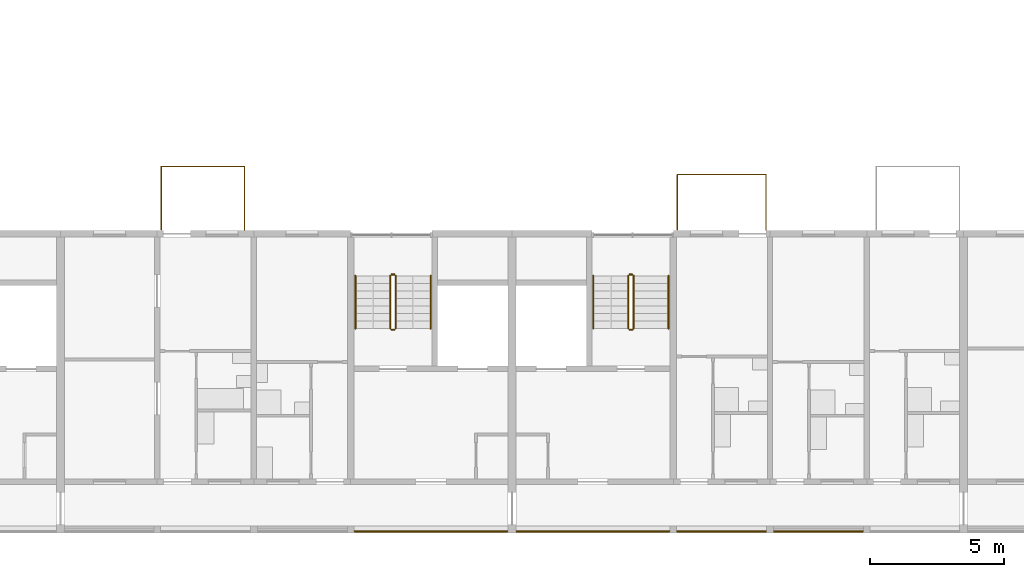
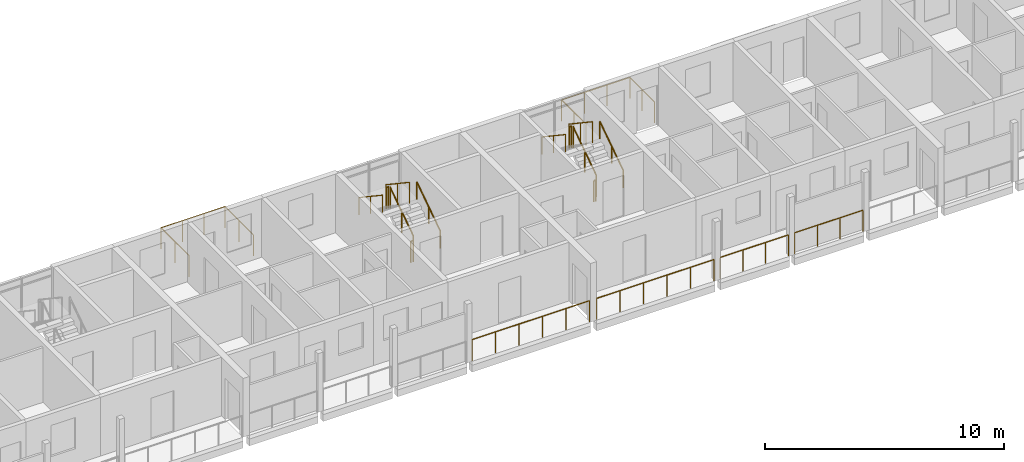
# One storey, part 70 of 87: 18 railings.
"""IFC4 building model written with IfcOpenShell, lengths in metres."""

from ifc_helpers import new_model, si_unit, direction, frame, origin, origin_2d, place, context, subcontext, project, spatial, circle, extrude, material, type_object, element, save


model = new_model("IFC4")

# Units and contexts
model_context = context("Model", 3, precision=1e-05, world=origin(), true_north=direction((0.0, 1.0)))
body_context = subcontext(model_context, "Body", "Model", "MODEL_VIEW")
ifc_project = project(units=[si_unit("LENGTHUNIT", "METRE"), si_unit("AREAUNIT", "SQUARE_METRE"), si_unit("VOLUMEUNIT", "CUBIC_METRE"), si_unit("PLANEANGLEUNIT", "RADIAN"), si_unit("MASSUNIT", "GRAM", prefix="KILO")], contexts=[model_context])

# Site, building, storey
site_placement = place(None, origin())
site = spatial("IfcSite", under=ifc_project, at=site_placement, CompositionType="ELEMENT")
building_placement = place(site_placement, origin())
building = spatial("IfcBuilding", under=site, at=building_placement, Name="Ridgestep Commons", CompositionType="ELEMENT")
storey_placement = place(building_placement, frame((0.0, 0.0, 27.0)))
storey = spatial("IfcBuildingStorey", under=building, at=storey_placement, Name="L09", CompositionType="ELEMENT", Elevation=27.0)

# Railings
ifc_material_1 = material(Name="Structural steel S355JR", Category="steel")
railing_type_1 = type_object("IfcRailingType", Name="Guard 1100", PredefinedType="GUARDRAIL", material=ifc_material_1)
railing_1_placement = place(storey_placement, frame((39.74609375, 11.800048828125, 0.0)))
element("IfcRailing", 1, at=railing_1_placement, inside=storey, type_object=railing_type_1, Name="Gallery guard A 09.8", PredefinedType="GUARDRAIL", context=body_context, shape_type="SweptSolid", body=[
    extrude(circle(Radius=0.02392578125, at=origin_2d()), frame((0.0, 0.0, 1.076171875), z_axis=(1.0, 0.0, 0.0), x_axis=(0.0, 1.0, 0.0)), (0.0, 0.0, 1.0), 5.682861328125),
    extrude(circle(Radius=0.02099609375, at=origin_2d()), origin(), (0.0, 0.0, 1.0), 1.052001953125),
    extrude(circle(Radius=0.02099609375, at=origin_2d()), frame((1.136474609375, 0.0, 0.0)), (0.0, 0.0, 1.0), 1.052001953125),
    extrude(circle(Radius=0.02099609375, at=origin_2d()), frame((2.273193359375, 0.0, 0.0)), (0.0, 0.0, 1.0), 1.052001953125),
    extrude(circle(Radius=0.02099609375, at=origin_2d()), frame((3.40966796875, 0.0, 0.0)), (0.0, 0.0, 1.0), 1.052001953125),
    extrude(circle(Radius=0.02099609375, at=origin_2d()), frame((4.54638671875, 0.0, 0.0)), (0.0, 0.0, 1.0), 1.052001953125),
    extrude(circle(Radius=0.02099609375, at=origin_2d()), frame((5.682861328125, 0.0, 0.0)), (0.0, 0.0, 1.0), 1.052001953125),
])
railing_2_placement = place(storey_placement, frame((45.77099609375, 11.800048828125, 0.0)))
element("IfcRailing", 2, at=railing_2_placement, inside=storey, type_object=railing_type_1, Name="Gallery guard A 09.9", PredefinedType="GUARDRAIL", context=body_context, shape_type="SweptSolid", body=[
    extrude(circle(Radius=0.02392578125, at=origin_2d()), frame((0.0, 0.0, 1.076171875), z_axis=(1.0, 0.0, 0.0), x_axis=(0.0, 1.0, 0.0)), (0.0, 0.0, 1.0), 5.68310546875),
    extrude(circle(Radius=0.02099609375, at=origin_2d()), origin(), (0.0, 0.0, 1.0), 1.052001953125),
    extrude(circle(Radius=0.02099609375, at=origin_2d()), frame((1.13671875, 0.0, 0.0)), (0.0, 0.0, 1.0), 1.052001953125),
    extrude(circle(Radius=0.02099609375, at=origin_2d()), frame((2.273193359375, 0.0, 0.0)), (0.0, 0.0, 1.0), 1.052001953125),
    extrude(circle(Radius=0.02099609375, at=origin_2d()), frame((3.409912109375, 0.0, 0.0)), (0.0, 0.0, 1.0), 1.052001953125),
    extrude(circle(Radius=0.02099609375, at=origin_2d()), frame((4.54638671875, 0.0, 0.0)), (0.0, 0.0, 1.0), 1.052001953125),
    extrude(circle(Radius=0.02099609375, at=origin_2d()), frame((5.68310546875, 0.0, 0.0)), (0.0, 0.0, 1.0), 1.052001953125),
])
railing_3_placement = place(storey_placement, frame((51.74609375, 11.800048828125, 0.0)))
element("IfcRailing", 3, at=railing_3_placement, inside=storey, type_object=railing_type_1, Name="Gallery guard A 09.10", PredefinedType="GUARDRAIL", context=body_context, shape_type="SweptSolid", body=[
    extrude(circle(Radius=0.02392578125, at=origin_2d()), frame((0.0, 0.0, 1.076171875), z_axis=(1.0, 0.0, 0.0), x_axis=(0.0, 1.0, 0.0)), (0.0, 0.0, 1.0), 3.307861328125),
    extrude(circle(Radius=0.02099609375, at=origin_2d()), origin(), (0.0, 0.0, 1.0), 1.052001953125),
    extrude(circle(Radius=0.02099609375, at=origin_2d()), frame((1.1025390625, 0.0, 0.0)), (0.0, 0.0, 1.0), 1.052001953125),
    extrude(circle(Radius=0.02099609375, at=origin_2d()), frame((2.205322265625, 0.0, 0.0)), (0.0, 0.0, 1.0), 1.052001953125),
    extrude(circle(Radius=0.02099609375, at=origin_2d()), frame((3.307861328125, 0.0, 0.0)), (0.0, 0.0, 1.0), 1.052001953125),
])
railing_4_placement = place(storey_placement, frame((55.345947265625, 11.800048828125, 0.0)))
element("IfcRailing", 4, at=railing_4_placement, inside=storey, type_object=railing_type_1, Name="Gallery guard A 09.11", PredefinedType="GUARDRAIL", context=body_context, shape_type="SweptSolid", body=[
    extrude(circle(Radius=0.02392578125, at=origin_2d()), frame((0.0, 0.0, 1.076171875), z_axis=(1.0, 0.0, 0.0), x_axis=(0.0, 1.0, 0.0)), (0.0, 0.0, 1.0), 3.30810546875),
    extrude(circle(Radius=0.02099609375, at=origin_2d()), origin(), (0.0, 0.0, 1.0), 1.052001953125),
    extrude(circle(Radius=0.02099609375, at=origin_2d()), frame((1.102783203125, 0.0, 0.0)), (0.0, 0.0, 1.0), 1.052001953125),
    extrude(circle(Radius=0.02099609375, at=origin_2d()), frame((2.205322265625, 0.0, 0.0)), (0.0, 0.0, 1.0), 1.052001953125),
    extrude(circle(Radius=0.02099609375, at=origin_2d()), frame((3.30810546875, 0.0, 0.0)), (0.0, 0.0, 1.0), 1.052001953125),
])
ifc_material_2 = material(Name="Structural steel S355JR", Category="steel")
railing_type_2 = type_object("IfcRailingType", Name="Stair guard 1100", PredefinedType="GUARDRAIL", material=ifc_material_2)
railing_5_placement = place(storey_placement, frame((41.27490234375, 19.35009765625, 0.1875)))
element("IfcRailing", 5, at=railing_5_placement, inside=storey, type_object=railing_type_2, Name="L09 A2C stair guard 1", PredefinedType="GUARDRAIL", context=body_context, shape_type="SweptSolid", body=[
    extrude(circle(Radius=0.02392578125, at=origin_2d()), frame((0.0, 0.0, 1.076171875), z_axis=(0.0, 0.830902050051, 0.556418712142), x_axis=(-1.0, 0.0, 0.0)), (0.0, 0.0, 1.0), 2.35888671875),
    extrude(circle(Radius=0.02099609375, at=origin_2d()), origin(), (0.0, 0.0, 1.0), 1.052001953125),
    extrude(circle(Radius=0.02099609375, at=origin_2d()), frame((0.0, 0.97998046875, 0.65625)), (0.0, 0.0, 1.0), 1.052001953125),
    extrude(circle(Radius=0.02099609375, at=origin_2d()), frame((0.0, 1.9599609375, 1.3125)), (0.0, 0.0, 1.0), 1.052001953125),
])
railing_6_placement = place(storey_placement, frame((41.22509765625, 21.360107421875, 1.5)))
element("IfcRailing", 6, at=railing_6_placement, inside=storey, type_object=railing_type_2, Name="L09 A2C stair guard 2", PredefinedType="GUARDRAIL", context=body_context, shape_type="SweptSolid", body=[
    extrude(circle(Radius=0.02392578125, at=origin_2d()), frame((0.0, 0.0, 1.076171875), z_axis=(-1.0, 0.0, 0.0), x_axis=(0.0, -1.0, 0.0)), (0.0, 0.0, 1.0), 0.10009765625),
    extrude(circle(Radius=0.02099609375, at=origin_2d()), origin(), (0.0, 0.0, 1.0), 1.052001953125),
    extrude(circle(Radius=0.02099609375, at=origin_2d()), frame((-0.10009765625, 0.0, 0.0)), (0.0, 0.0, 1.0), 1.052001953125),
])
railing_7_placement = place(storey_placement, frame((41.074951171875, 21.31005859375, 1.6875)))
element("IfcRailing", 7, at=railing_7_placement, inside=storey, type_object=railing_type_2, Name="L09 A2C stair guard 3", PredefinedType="GUARDRAIL", context=body_context, shape_type="SweptSolid", body=[
    extrude(circle(Radius=0.02392578125, at=origin_2d()), frame((0.0, 0.0, 1.076171875), z_axis=(0.0, -0.830902050051, 0.556418712142), x_axis=(1.0, 0.0, 0.0)), (0.0, 0.0, 1.0), 2.35888671875),
    extrude(circle(Radius=0.02099609375, at=origin_2d()), origin(), (0.0, 0.0, 1.0), 1.052001953125),
    extrude(circle(Radius=0.02099609375, at=origin_2d()), frame((0.0, -0.97998046875, 0.65625)), (0.0, 0.0, 1.0), 1.052001953125),
    extrude(circle(Radius=0.02099609375, at=origin_2d()), frame((0.0, -1.9599609375, 1.3125)), (0.0, 0.0, 1.0), 1.052001953125),
])
railing_8_placement = place(storey_placement, frame((41.22509765625, 19.300048828125, 0.0)))
element("IfcRailing", 8, at=railing_8_placement, inside=storey, type_object=railing_type_2, Name="L09 A2C stair guard 4", PredefinedType="GUARDRAIL", context=body_context, shape_type="SweptSolid", body=[
    extrude(circle(Radius=0.02392578125, at=origin_2d()), frame((0.0, 0.0, 1.076171875), z_axis=(-1.0, 0.0, 0.0), x_axis=(0.0, -1.0, 0.0)), (0.0, 0.0, 1.0), 0.10009765625),
    extrude(circle(Radius=0.02099609375, at=origin_2d()), origin(), (0.0, 0.0, 1.0), 1.052001953125),
    extrude(circle(Radius=0.02099609375, at=origin_2d()), frame((-0.10009765625, 0.0, 0.0)), (0.0, 0.0, 1.0), 1.052001953125),
])
railing_9_placement = place(storey_placement, frame((50.125, 19.35009765625, 0.1875)))
element("IfcRailing", 9, at=railing_9_placement, inside=storey, type_object=railing_type_2, Name="L09 A3C stair guard 1", PredefinedType="GUARDRAIL", context=body_context, shape_type="SweptSolid", body=[
    extrude(circle(Radius=0.02392578125, at=origin_2d()), frame((0.0, 0.0, 1.076171875), z_axis=(0.0, 0.830902050051, 0.556418712142), x_axis=(-1.0, 0.0, 0.0)), (0.0, 0.0, 1.0), 2.35888671875),
    extrude(circle(Radius=0.02099609375, at=origin_2d()), origin(), (0.0, 0.0, 1.0), 1.052001953125),
    extrude(circle(Radius=0.02099609375, at=origin_2d()), frame((0.0, 0.97998046875, 0.65625)), (0.0, 0.0, 1.0), 1.052001953125),
    extrude(circle(Radius=0.02099609375, at=origin_2d()), frame((0.0, 1.9599609375, 1.3125)), (0.0, 0.0, 1.0), 1.052001953125),
])
railing_10_placement = place(storey_placement, frame((50.074951171875, 21.360107421875, 1.5)))
element("IfcRailing", 10, at=railing_10_placement, inside=storey, type_object=railing_type_2, Name="L09 A3C stair guard 2", PredefinedType="GUARDRAIL", context=body_context, shape_type="SweptSolid", body=[
    extrude(circle(Radius=0.02392578125, at=origin_2d()), frame((0.0, 0.0, 1.076171875), z_axis=(-1.0, 0.0, 0.0), x_axis=(0.0, -1.0, 0.0)), (0.0, 0.0, 1.0), 0.099853515625),
    extrude(circle(Radius=0.02099609375, at=origin_2d()), origin(), (0.0, 0.0, 1.0), 1.052001953125),
    extrude(circle(Radius=0.02099609375, at=origin_2d()), frame((-0.099853515625, 0.0, 0.0)), (0.0, 0.0, 1.0), 1.052001953125),
])
railing_11_placement = place(storey_placement, frame((49.925048828125, 21.31005859375, 1.6875)))
element("IfcRailing", 11, at=railing_11_placement, inside=storey, type_object=railing_type_2, Name="L09 A3C stair guard 3", PredefinedType="GUARDRAIL", context=body_context, shape_type="SweptSolid", body=[
    extrude(circle(Radius=0.02392578125, at=origin_2d()), frame((0.0, 0.0, 1.076171875), z_axis=(0.0, -0.830902050051, 0.556418712142), x_axis=(1.0, 0.0, 0.0)), (0.0, 0.0, 1.0), 2.35888671875),
    extrude(circle(Radius=0.02099609375, at=origin_2d()), origin(), (0.0, 0.0, 1.0), 1.052001953125),
    extrude(circle(Radius=0.02099609375, at=origin_2d()), frame((0.0, -0.97998046875, 0.65625)), (0.0, 0.0, 1.0), 1.052001953125),
    extrude(circle(Radius=0.02099609375, at=origin_2d()), frame((0.0, -1.9599609375, 1.3125)), (0.0, 0.0, 1.0), 1.052001953125),
])
railing_12_placement = place(storey_placement, frame((50.074951171875, 19.300048828125, 0.0)))
element("IfcRailing", 12, at=railing_12_placement, inside=storey, type_object=railing_type_2, Name="L09 A3C stair guard 4", PredefinedType="GUARDRAIL", context=body_context, shape_type="SweptSolid", body=[
    extrude(circle(Radius=0.02392578125, at=origin_2d()), frame((0.0, 0.0, 1.076171875), z_axis=(-1.0, 0.0, 0.0), x_axis=(0.0, -1.0, 0.0)), (0.0, 0.0, 1.0), 0.099853515625),
    extrude(circle(Radius=0.02099609375, at=origin_2d()), origin(), (0.0, 0.0, 1.0), 1.052001953125),
    extrude(circle(Radius=0.02099609375, at=origin_2d()), frame((-0.099853515625, 0.0, 0.0)), (0.0, 0.0, 1.0), 1.052001953125),
])
ifc_material_3 = material(Name="Structural steel S355JR", Category="steel")
railing_type_3 = type_object("IfcRailingType", Name="Stair handrail 900", PredefinedType="HANDRAIL", material=ifc_material_3)
railing_13_placement = place(storey_placement, frame((42.574951171875, 19.35009765625, 0.1875)))
element("IfcRailing", 13, at=railing_13_placement, inside=storey, type_object=railing_type_3, Name="L09 A2C stair handrail 1", PredefinedType="HANDRAIL", context=body_context, shape_type="SweptSolid", body=[
    extrude(circle(Radius=0.02392578125, at=origin_2d()), frame((0.0, 0.0, 0.8759765625), z_axis=(0.0, 0.830902050051, 0.556418712142), x_axis=(-1.0, 0.0, 0.0)), (0.0, 0.0, 1.0), 2.35888671875),
    extrude(circle(Radius=0.02099609375, at=origin_2d()), origin(), (0.0, 0.0, 1.0), 0.851806640625),
    extrude(circle(Radius=0.02099609375, at=origin_2d()), frame((0.0, 0.97998046875, 0.65625)), (0.0, 0.0, 1.0), 0.851806640625),
    extrude(circle(Radius=0.02099609375, at=origin_2d()), frame((0.0, 1.9599609375, 1.3125)), (0.0, 0.0, 1.0), 0.851806640625),
])
railing_14_placement = place(storey_placement, frame((39.77490234375, 21.31005859375, 1.6875)))
element("IfcRailing", 14, at=railing_14_placement, inside=storey, type_object=railing_type_3, Name="L09 A2C stair handrail 2", PredefinedType="HANDRAIL", context=body_context, shape_type="SweptSolid", body=[
    extrude(circle(Radius=0.02392578125, at=origin_2d()), frame((0.0, 0.0, 0.8759765625), z_axis=(0.0, -0.830902050051, 0.556418712142), x_axis=(1.0, 0.0, 0.0)), (0.0, 0.0, 1.0), 2.35888671875),
    extrude(circle(Radius=0.02099609375, at=origin_2d()), origin(), (0.0, 0.0, 1.0), 0.851806640625),
    extrude(circle(Radius=0.02099609375, at=origin_2d()), frame((0.0, -0.97998046875, 0.65625)), (0.0, 0.0, 1.0), 0.851806640625),
    extrude(circle(Radius=0.02099609375, at=origin_2d()), frame((0.0, -1.9599609375, 1.3125)), (0.0, 0.0, 1.0), 0.851806640625),
])
railing_15_placement = place(storey_placement, frame((51.425048828125, 19.35009765625, 0.1875)))
element("IfcRailing", 15, at=railing_15_placement, inside=storey, type_object=railing_type_3, Name="L09 A3C stair handrail 1", PredefinedType="HANDRAIL", context=body_context, shape_type="SweptSolid", body=[
    extrude(circle(Radius=0.02392578125, at=origin_2d()), frame((0.0, 0.0, 0.8759765625), z_axis=(0.0, 0.830902050051, 0.556418712142), x_axis=(-1.0, 0.0, 0.0)), (0.0, 0.0, 1.0), 2.35888671875),
    extrude(circle(Radius=0.02099609375, at=origin_2d()), origin(), (0.0, 0.0, 1.0), 0.851806640625),
    extrude(circle(Radius=0.02099609375, at=origin_2d()), frame((0.0, 0.97998046875, 0.65625)), (0.0, 0.0, 1.0), 0.851806640625),
    extrude(circle(Radius=0.02099609375, at=origin_2d()), frame((0.0, 1.9599609375, 1.3125)), (0.0, 0.0, 1.0), 0.851806640625),
])
railing_16_placement = place(storey_placement, frame((48.625, 21.31005859375, 1.6875)))
element("IfcRailing", 16, at=railing_16_placement, inside=storey, type_object=railing_type_3, Name="L09 A3C stair handrail 2", PredefinedType="HANDRAIL", context=body_context, shape_type="SweptSolid", body=[
    extrude(circle(Radius=0.02392578125, at=origin_2d()), frame((0.0, 0.0, 0.8759765625), z_axis=(0.0, -0.830902050051, 0.556418712142), x_axis=(1.0, 0.0, 0.0)), (0.0, 0.0, 1.0), 2.35888671875),
    extrude(circle(Radius=0.02099609375, at=origin_2d()), origin(), (0.0, 0.0, 1.0), 0.851806640625),
    extrude(circle(Radius=0.02099609375, at=origin_2d()), frame((0.0, -0.97998046875, 0.65625)), (0.0, 0.0, 1.0), 0.851806640625),
    extrude(circle(Radius=0.02099609375, at=origin_2d()), frame((0.0, -1.9599609375, 1.3125)), (0.0, 0.0, 1.0), 0.851806640625),
])
ifc_material_4 = material(Name="Weathering steel S355J2W", Category="steel")
railing_type_4 = type_object("IfcRailingType", Name="Tray guard 1100", PredefinedType="GUARDRAIL", material=ifc_material_4)
railing_17_placement = place(storey_placement, frame((51.7509765625, 23.02099609375, 0.0)))
element("IfcRailing", 17, at=railing_17_placement, inside=storey, type_object=railing_type_4, Name="Tray guard A3T3-09", PredefinedType="GUARDRAIL", context=body_context, shape_type="SweptSolid", body=[
    extrude(circle(Radius=0.02392578125, at=origin_2d()), frame((0.0, 0.0, 1.076171875), z_axis=(0.0, 1.0, 0.0), x_axis=(-1.0, 0.0, 0.0)), (0.0, 0.0, 1.0), 2.05810546875),
    extrude(circle(Radius=0.02392578125, at=origin_2d()), frame((0.0, 2.05810546875, 1.076171875), z_axis=(1.0, 0.0, 0.0), x_axis=(0.0, 1.0, 0.0)), (0.0, 0.0, 1.0), 3.298095703125),
    extrude(circle(Radius=0.02392578125, at=origin_2d()), frame((3.298095703125, 2.05810546875, 1.076171875), z_axis=(0.0, -1.0, 0.0), x_axis=(1.0, 0.0, 0.0)), (0.0, 0.0, 1.0), 2.05810546875),
    extrude(circle(Radius=0.02099609375, at=origin_2d()), origin(), (0.0, 0.0, 1.0), 1.052001953125),
    extrude(circle(Radius=0.02099609375, at=origin_2d()), frame((0.0, 1.029052734375, 0.0)), (0.0, 0.0, 1.0), 1.052001953125),
    extrude(circle(Radius=0.02099609375, at=origin_2d()), frame((0.0, 2.05810546875, 0.0)), (0.0, 0.0, 1.0), 1.052001953125),
    extrude(circle(Radius=0.02099609375, at=origin_2d()), frame((1.099365234375, 2.05810546875, 0.0)), (0.0, 0.0, 1.0), 1.052001953125),
    extrude(circle(Radius=0.02099609375, at=origin_2d()), frame((2.19873046875, 2.05810546875, 0.0)), (0.0, 0.0, 1.0), 1.052001953125),
    extrude(circle(Radius=0.02099609375, at=origin_2d()), frame((3.298095703125, 2.05810546875, 0.0)), (0.0, 0.0, 1.0), 1.052001953125),
    extrude(circle(Radius=0.02099609375, at=origin_2d()), frame((3.298095703125, 1.029052734375, 0.0)), (0.0, 0.0, 1.0), 1.052001953125),
    extrude(circle(Radius=0.02099609375, at=origin_2d()), frame((3.298095703125, 0.0, 0.0)), (0.0, 0.0, 1.0), 1.052001953125),
])
railing_18_placement = place(storey_placement, frame((32.551025390625, 23.02099609375, 0.0)))
element("IfcRailing", 18, at=railing_18_placement, inside=storey, type_object=railing_type_4, Name="Tray guard A2T2-09", PredefinedType="GUARDRAIL", context=body_context, shape_type="SweptSolid", body=[
    extrude(circle(Radius=0.02392578125, at=origin_2d()), frame((0.0, 0.0, 1.076171875), z_axis=(0.0, 1.0, 0.0), x_axis=(-1.0, 0.0, 0.0)), (0.0, 0.0, 1.0), 2.35791015625),
    extrude(circle(Radius=0.02392578125, at=origin_2d()), frame((0.0, 2.35791015625, 1.076171875), z_axis=(1.0, 0.0, 0.0), x_axis=(0.0, 1.0, 0.0)), (0.0, 0.0, 1.0), 3.097900390625),
    extrude(circle(Radius=0.02392578125, at=origin_2d()), frame((3.097900390625, 2.35791015625, 1.076171875), z_axis=(0.0, -1.0, 0.0), x_axis=(1.0, 0.0, 0.0)), (0.0, 0.0, 1.0), 2.35791015625),
    extrude(circle(Radius=0.02099609375, at=origin_2d()), origin(), (0.0, 0.0, 1.0), 1.052001953125),
    extrude(circle(Radius=0.02099609375, at=origin_2d()), frame((0.0, 1.178955078125, 0.0)), (0.0, 0.0, 1.0), 1.052001953125),
    extrude(circle(Radius=0.02099609375, at=origin_2d()), frame((0.0, 2.35791015625, 0.0)), (0.0, 0.0, 1.0), 1.052001953125),
    extrude(circle(Radius=0.02099609375, at=origin_2d()), frame((1.03271484375, 2.35791015625, 0.0)), (0.0, 0.0, 1.0), 1.052001953125),
    extrude(circle(Radius=0.02099609375, at=origin_2d()), frame((2.065185546875, 2.35791015625, 0.0)), (0.0, 0.0, 1.0), 1.052001953125),
    extrude(circle(Radius=0.02099609375, at=origin_2d()), frame((3.097900390625, 2.35791015625, 0.0)), (0.0, 0.0, 1.0), 1.052001953125),
    extrude(circle(Radius=0.02099609375, at=origin_2d()), frame((3.097900390625, 1.178955078125, 0.0)), (0.0, 0.0, 1.0), 1.052001953125),
    extrude(circle(Radius=0.02099609375, at=origin_2d()), frame((3.097900390625, 0.0, 0.0)), (0.0, 0.0, 1.0), 1.052001953125),
])

save(model, "model.ifc")
